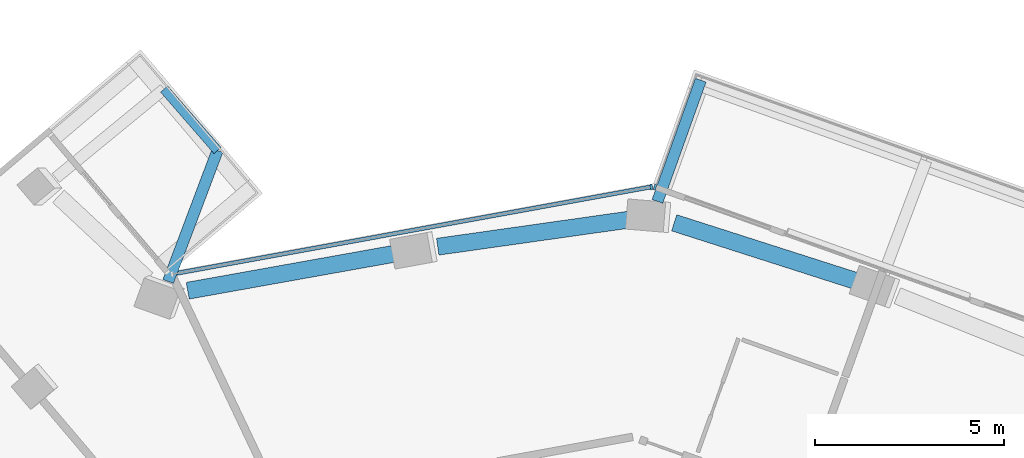
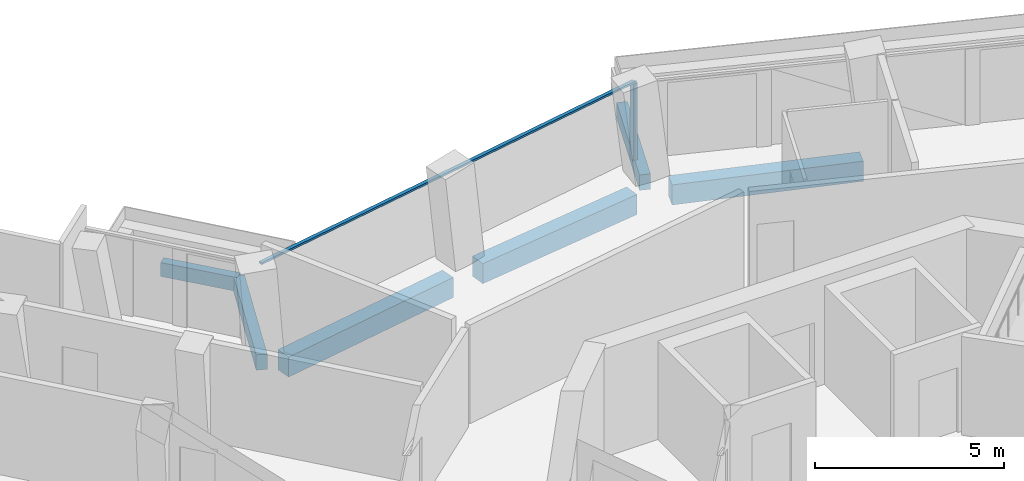
# One storey, part 6 of 21: 6 beams, 3 members, 2 elements without a shape of their own.
"""IFC4 building model written with IfcOpenShell, lengths in metres."""

import ifcopenshell
import ifcopenshell.guid

model = None  # the IFC model being written
_history = None  # IfcOwnerHistory: only IFC2X3 demands one
_inside = {}  # id of a spatial element -> (the spatial element, [elements in it])
_under = {}  # id of a project, library or spatial element -> (it, [spatial elements below it])
_declared = {}  # id of a project -> (the project, [libraries it declares])
_typed = {}  # id of a type object -> (the type object, [elements of that type])
_made_of = {}  # id of a material, layer set ... -> (it, [elements and type objects made of it])


def new_model(schema):
    """Start an empty IFC model of exactly this schema.

    Asked for "IFC4X3", IfcOpenShell would pick the latest addendum, in which some entities
    have other attributes; the version numbers below select the first issue.
    IFC2X3 requires an IfcOwnerHistory on every rooted entity: one is made here for all.
    """
    global model, _history
    if schema == "IFC4X3":
        model = ifcopenshell.file(schema_version=(4, 3, 0, 0))
    else:
        model = ifcopenshell.file(schema=schema)
    _inside.clear()
    _under.clear()
    _declared.clear()
    _typed.clear()
    _made_of.clear()
    _history = None
    if model.schema == "IFC2X3":
        org = make("IfcOrganization", Name="unknown")
        user = make(
            "IfcPersonAndOrganization",
            ThePerson=make("IfcPerson", FamilyName="unknown"),
            TheOrganization=org,
        )
        app = make(
            "IfcApplication",
            ApplicationDeveloper=org,
            Version="unknown",
            ApplicationFullName="unknown",
            ApplicationIdentifier="unknown",
        )
        _history = make(
            "IfcOwnerHistory",
            OwningUser=user,
            OwningApplication=app,
            ChangeAction="ADDED",
            CreationDate=0,
        )
    return model


def make(cls, **values):
    """One entity of the class cls with the attributes given. An attribute that is None is left unset."""
    return model.create_entity(
        cls, **{name: value for name, value in values.items() if value is not None}
    )


def rooted(cls, **values):
    """An entity with a GlobalId (a new one), such as an element, a storey or a relation."""
    return make(cls, GlobalId=ifcopenshell.guid.new(), OwnerHistory=_history, **values)


def si_unit(unit_type, name, prefix=None):
    """IfcSIUnit, for example si_unit("LENGTHUNIT", "METRE", prefix="MILLI")."""
    return make("IfcSIUnit", UnitType=unit_type, Prefix=prefix, Name=name)


def assignment(units):
    """IfcUnitAssignment: the units of a project."""
    return None if units is None else make("IfcUnitAssignment", Units=units)


def point(xyz):
    """IfcCartesianPoint."""
    return None if xyz is None else make("IfcCartesianPoint", Coordinates=xyz)


def direction(xyz):
    """IfcDirection."""
    return None if xyz is None else make("IfcDirection", DirectionRatios=xyz)


def frame(location, z_axis=None, x_axis=None):
    """IfcAxis2Placement3D, a coordinate frame: its origin and axes. An axis left out is left unset."""
    return make(
        "IfcAxis2Placement3D",
        Location=point(location),
        Axis=direction(z_axis),
        RefDirection=direction(x_axis),
    )


def frame_2d(location, x_axis=None):
    """IfcAxis2Placement2D, a coordinate frame in the plane: its origin and x axis."""
    return make(
        "IfcAxis2Placement2D", Location=point(location), RefDirection=direction(x_axis)
    )


def origin():
    """The frame at (0, 0, 0) with its axes left unset."""
    return frame((0.0, 0.0, 0.0))


def origin_2d():
    """The frame at (0, 0) in the plane with its x axis left unset."""
    return frame_2d((0.0, 0.0))


def place(relative_to, where):
    """IfcLocalPlacement: puts the frame where relative to a parent placement (None: the world)."""
    return make(
        "IfcLocalPlacement", PlacementRelTo=relative_to, RelativePlacement=where
    )


def context(
    kind, dimensions, precision=None, world=None, true_north=None, identifier=None
):
    """IfcGeometricRepresentationContext, for example the 3D "Model" context."""
    return make(
        "IfcGeometricRepresentationContext",
        ContextIdentifier=identifier,
        ContextType=kind,
        CoordinateSpaceDimension=dimensions,
        Precision=precision,
        WorldCoordinateSystem=world,
        TrueNorth=true_north,
    )


def subcontext(parent, identifier, kind, view, scale=None):
    """IfcGeometricRepresentationSubContext, for example "Body" below "Model"."""
    return make(
        "IfcGeometricRepresentationSubContext",
        ContextIdentifier=identifier,
        ContextType=kind,
        ParentContext=parent,
        TargetScale=scale,
        TargetView=view,
    )


def project(units=None, contexts=None):
    """IfcProject with its units and contexts."""
    return rooted(
        "IfcProject",
        Name="project",
        RepresentationContexts=contexts,
        UnitsInContext=assignment(units),
    )


def spatial(cls, under=None, at=None, **own):
    """A site, building, storey or space (cls), placed at a placement, below another one or the project."""
    s = rooted(cls, ObjectPlacement=at, **own)
    if under is not None:
        _under.setdefault(under.id(), (under, []))[1].append(s)
    return s


def profile(cls, at=None, kind="AREA", **sizes):
    """A parametric profile (cls). Its sizes go by their IFC names, for example OverallWidth=200.0."""
    return make(cls, ProfileType=kind, Position=at, **sizes)


def rectangle(**sizes):
    """IfcRectangleProfileDef."""
    return profile("IfcRectangleProfileDef", **sizes)


def extrude(swept, where, along, depth):
    """IfcExtrudedAreaSolid: the profile swept, set in the frame where, extruded along a direction by depth."""
    return make(
        "IfcExtrudedAreaSolid",
        SweptArea=swept,
        Position=where,
        ExtrudedDirection=direction(along),
        Depth=depth,
    )


def shape(context_of_items, identifier, shape_type, items):
    """IfcShapeRepresentation: the items that make up one representation, for example the "Body"."""
    return make(
        "IfcShapeRepresentation",
        ContextOfItems=context_of_items,
        RepresentationIdentifier=identifier,
        RepresentationType=shape_type,
        Items=items,
    )


def material(Name=None, Category=None):
    """IfcMaterial."""
    return make("IfcMaterial", Name=Name, Category=Category)


def layer(
    of_material, thickness, ventilated=None, Name=None, Category=None, Priority=None
):
    """IfcMaterialLayer: one layer of a wall or slab, of a material (None: an air gap)."""
    return make(
        "IfcMaterialLayer",
        Material=of_material,
        LayerThickness=thickness,
        IsVentilated=ventilated,
        Name=Name,
        Category=Category,
        Priority=Priority,
    )


def layer_set(layers, Name=None):
    """IfcMaterialLayerSet."""
    return make("IfcMaterialLayerSet", MaterialLayers=layers, LayerSetName=Name)


def material_profile(
    of_material, cross_section, Name=None, Category=None, Priority=None
):
    """IfcMaterialProfile: a cross section and its material."""
    return make(
        "IfcMaterialProfile",
        Name=Name,
        Material=of_material,
        Profile=cross_section,
        Priority=Priority,
        Category=Category,
    )


def profile_set(profiles, Name=None, composite=None):
    """IfcMaterialProfileSet."""
    return make(
        "IfcMaterialProfileSet",
        Name=Name,
        MaterialProfiles=profiles,
        CompositeProfile=composite,
    )


def made_of(thing, what):
    """Note that an element or type object is made of a material, layer set ...; save() writes the relation."""
    if what is not None:
        _made_of.setdefault(what.id(), (what, []))[1].append(thing)
    return thing


def type_object(cls, material=None, **own):
    """A type object (cls), such as IfcWallType, which elements share."""
    return made_of(rooted(cls, **own), material)


def element(
    cls,
    number,
    at=None,
    inside=None,
    cuts=None,
    type_object=None,
    material=None,
    context=None,
    identifier="Body",
    shape_type=None,
    held_by="IfcProductDefinitionShape",
    body=None,
    shapes=None,
    **own,
):
    """One element of the class cls, such as IfcWall. Its Tag is "e" and its number.

    at: its placement. inside: the storey or other place that contains it. cuts: it is an
    opening in that element (IfcRelVoidsElement). A single representation is given by context,
    identifier, shape_type and body (its items); several are given by shapes. held_by: the class
    of the entity that holds the representations. save() writes the other relations.
    """
    e = rooted(cls, Tag="e%d" % number, ObjectPlacement=at, **own)
    if body is not None:
        shapes = [shape(context, identifier, shape_type, body)]
    if shapes is not None:
        e.Representation = make(held_by, Representations=shapes)
    if inside is not None:
        _inside.setdefault(inside.id(), (inside, []))[1].append(e)
    if cuts is not None:
        rooted(
            "IfcRelVoidsElement", RelatingBuildingElement=cuts, RelatedOpeningElement=e
        )
    if type_object is not None:
        _typed.setdefault(type_object.id(), (type_object, []))[1].append(e)
    return made_of(e, material)


def aggregate(whole, parts):
    """IfcRelAggregates: a whole, such as a stair, and the parts it consists of."""
    return rooted("IfcRelAggregates", RelatingObject=whole, RelatedObjects=parts)


def save(model, path):
    """Write the relations noted so far, then the file.

    IfcRelAggregates (storeys below a building ...), IfcRelContainedInSpatialStructure (elements
    in a storey), IfcRelDefinesByType, IfcRelAssociatesMaterial and IfcRelDeclares: one each for
    every whole, place, type object, material and project.
    """
    for whole, parts in _under.values():
        aggregate(whole, parts)
    for where, things in _inside.values():
        rooted(
            "IfcRelContainedInSpatialStructure",
            RelatedElements=things,
            RelatingStructure=where,
        )
    for kind, things in _typed.values():
        rooted("IfcRelDefinesByType", RelatedObjects=things, RelatingType=kind)
    for what, things in _made_of.values():
        rooted("IfcRelAssociatesMaterial", RelatedObjects=things, RelatingMaterial=what)
    for by, libraries in _declared.values():
        rooted("IfcRelDeclares", RelatingContext=by, RelatedDefinitions=libraries)
    model.write(path)


model = new_model("IFC4")

# Units and contexts
model_context = context("Model", 3, precision=1e-05, world=origin(), true_north=direction((0.0, 1.0)))
body_context = subcontext(model_context, "Body", "Model", "MODEL_VIEW")
ifc_project = project(units=[si_unit("LENGTHUNIT", "METRE"), si_unit("AREAUNIT", "SQUARE_METRE"), si_unit("VOLUMEUNIT", "CUBIC_METRE"), si_unit("PLANEANGLEUNIT", "RADIAN"), si_unit("MASSUNIT", "GRAM", prefix="KILO")], contexts=[model_context])

# Site, building, storey
site_placement = place(None, origin())
site = spatial("IfcSite", under=ifc_project, at=site_placement, CompositionType="ELEMENT")
building_placement = place(site_placement, origin())
building = spatial("IfcBuilding", under=site, at=building_placement, Name="Verdalira Terraces Hotel", CompositionType="ELEMENT")
storey_placement = place(building_placement, frame((0.0, 0.0, 197.5)))
storey = spatial("IfcBuildingStorey", under=building, at=storey_placement, Name="L48", CompositionType="ELEMENT", Elevation=197.5)

# Beams
ifc_material_1 = material(Name="Concrete C40", Category="concrete")
ifc_material_profile_1 = material_profile(ifc_material_1, rectangle(XDim=0.300049, YDim=0.5, at=origin_2d()), Name="RC 300X500")
ifc_profile_set_1 = profile_set([ifc_material_profile_1], Name="Concrete C40")
beam_type_1 = type_object("IfcBeamType", Name="Balcony cantilever beam RC 300X500 C40", PredefinedType="BEAM", material=ifc_profile_set_1)
beam_1_placement = place(storey_placement, frame((-10.800049, 22.439453, -0.560059), z_axis=(0.352458736, 0.935827355, 0.0), x_axis=(-0.935827355, 0.352458736, 0.0)))
element("IfcBeam", 1, at=beam_1_placement, inside=storey, type_object=beam_type_1, Name="Balcony cantilever beam R00-1", PredefinedType="BEAM", context=body_context, shape_type="SweptSolid", body=[
    extrude(rectangle(XDim=0.300049, YDim=0.5, at=origin_2d()), origin(), (0.0, 0.0, 1.0), 3.705811),
])
beam_2_placement = place(storey_placement, frame((2.153809, 24.558838, -0.560059), z_axis=(0.336694806, 0.941613831, 0.0), x_axis=(-0.941613831, 0.336694806, 0.0)))
element("IfcBeam", 2, at=beam_2_placement, inside=storey, type_object=beam_type_1, Name="Balcony cantilever beam R39-5", PredefinedType="BEAM", context=body_context, shape_type="SweptSolid", body=[
    extrude(rectangle(XDim=0.300049, YDim=0.5, at=origin_2d()), origin(), (0.0, 0.0, 1.0), 3.408691),
])
ifc_material_2 = material(Name="Concrete C40", Category="concrete")
ifc_material_profile_2 = material_profile(ifc_material_2, rectangle(XDim=0.25, YDim=0.449951, at=origin_2d()), Name="RC 250X450")
ifc_profile_set_2 = profile_set([ifc_material_profile_2], Name="Concrete C40")
beam_type_2 = type_object("IfcBeamType", Name="Balcony edge beam RC 250X450 C40", PredefinedType="BEAM", material=ifc_profile_set_2)
beam_3_placement = place(storey_placement, frame((-9.493896, 25.907471, -0.534912), z_axis=(-0.655909334, 0.754839682, 0.0), x_axis=(-0.754839682, -0.655909334, 0.0)))
element("IfcBeam", 3, at=beam_3_placement, inside=storey, type_object=beam_type_2, Name="Balcony edge beam R00-1", PredefinedType="BEAM", context=body_context, shape_type="SweptSolid", body=[
    extrude(rectangle(XDim=0.25, YDim=0.449951, at=origin_2d()), origin(), (0.0, 0.0, 1.0), 2.154297),
])

# Curtain wall, member
ifc_material_3 = material(Name="Clear glass", Category="glass")
ifc_layer = layer(ifc_material_3, 0.14990234375)
ifc_layer_set = layer_set([ifc_layer], Name="CW1 curtain wall")
curtain_wall_type = type_object("IfcCurtainWallType", Name="CW1 curtain wall", PredefinedType="NOTDEFINED", material=ifc_layer_set)
curtain_wall_1_placement = place(storey_placement, origin())
curtain_wall_1 = element("IfcCurtainWall", 4, at=curtain_wall_1_placement, inside=storey, type_object=curtain_wall_type, Name="CW1 curtain wall L48 edge 40", PredefinedType="NOTDEFINED")
ifc_material_4 = material(Name="Terracotta frame", Category="masonry")
ifc_material_profile_3 = material_profile(ifc_material_4, rectangle(XDim=0.060059, YDim=0.149902, at=origin_2d()), Name="MU 60x150")
ifc_profile_set_3 = profile_set([ifc_material_profile_3], Name="Terracotta frame")
member_type_1 = type_object("IfcMemberType", Name="CW1 mullion 60x150", PredefinedType="MULLION", material=ifc_profile_set_3)
member_1_placement = place(storey_placement, frame((2.089844, 24.936035, 0.0), z_axis=(0.0, 0.0, 1.0), x_axis=(-0.941588156, 0.336766603, 0.0)))
member_1 = element("IfcMember", 5, at=member_1_placement, type_object=member_type_1, Name="CW1 mullion", PredefinedType="MULLION", context=body_context, shape_type="SweptSolid", body=[
    extrude(rectangle(XDim=0.060059, YDim=0.149902, at=origin_2d()), origin(), (0.0, 0.0, 1.0), 2.475098),
])
aggregate(curtain_wall_1, [member_1])

# Curtain wall, members
curtain_wall_2_placement = place(storey_placement, origin())
curtain_wall_2 = element("IfcCurtainWall", 6, at=curtain_wall_2_placement, inside=storey, type_object=curtain_wall_type, Name="CW1 curtain wall L48 edge 41", PredefinedType="NOTDEFINED")
member_2_placement = place(storey_placement, frame((1.993408, 24.944092, 0.0), z_axis=(0.0, 0.0, 1.0), x_axis=(-0.983822564, -0.179145645, 0.0)))
member_2 = element("IfcMember", 7, at=member_2_placement, type_object=member_type_1, Name="CW1 mullion", PredefinedType="MULLION", context=body_context, shape_type="SweptSolid", body=[
    extrude(rectangle(XDim=0.060059, YDim=0.149902, at=origin_2d()), origin(), (0.0, 0.0, 1.0), 2.475098),
])
ifc_material_5 = material(Name="Terracotta frame", Category="masonry")
ifc_material_profile_4 = material_profile(ifc_material_5, rectangle(XDim=0.110107, YDim=0.064941, at=origin_2d()), Name="TR 65x110")
ifc_profile_set_4 = profile_set([ifc_material_profile_4], Name="Terracotta frame")
member_type_2 = type_object("IfcMemberType", Name="CW1 transom 65x110", PredefinedType="USERDEFINED", material=ifc_profile_set_4)
member_3_placement = place(storey_placement, frame((2.022949, 24.949463, 2.507568), z_axis=(-0.983821649, -0.179150673, 0.0), x_axis=(0.179150673, -0.983821649, 0.0)))
member_3 = element("IfcMember", 8, at=member_3_placement, type_object=member_type_2, Name="CW1 transom", ObjectType="TRANSOM", PredefinedType="USERDEFINED", context=body_context, shape_type="SweptSolid", body=[
    extrude(rectangle(XDim=0.110107, YDim=0.064941, at=origin_2d()), origin(), (0.0, 0.0, 1.0), 12.959961),
])
aggregate(curtain_wall_2, [member_2, member_3])

# Beams
ifc_material_6 = material(Name="Concrete C50", Category="concrete")
ifc_material_profile_5 = material_profile(ifc_material_6, rectangle(XDim=0.449951, YDim=0.649902, at=origin_2d()), Name="RC 450X650")
ifc_profile_set_5 = profile_set([ifc_material_profile_5], Name="Concrete C50")
beam_type_3 = type_object("IfcBeamType", Name="Spandrel beam RC 450X650 C50", PredefinedType="SPANDREL", material=ifc_profile_set_5)
beam_4_placement = place(storey_placement, frame((7.540039, 22.409912, -0.63501), z_axis=(-0.952352562, 0.304999341, 0.0), x_axis=(-0.304999341, -0.952352562, 0.0)))
element("IfcBeam", 9, at=beam_4_placement, inside=storey, type_object=beam_type_3, Name="Spandrel beam B21", PredefinedType="SPANDREL", context=body_context, shape_type="SweptSolid", body=[
    extrude(rectangle(XDim=0.449951, YDim=0.649902, at=origin_2d()), origin(), (0.0, 0.0, 1.0), 5.189453),
])
beam_5_placement = place(storey_placement, frame((1.477783, 24.085938, -0.63501), z_axis=(-0.990154393, -0.139979563, 0.0), x_axis=(0.139979563, -0.990154393, 0.0)))
element("IfcBeam", 10, at=beam_5_placement, inside=storey, type_object=beam_type_3, Name="Spandrel beam B22", PredefinedType="SPANDREL", context=body_context, shape_type="SweptSolid", body=[
    extrude(rectangle(XDim=0.449951, YDim=0.649902, at=origin_2d()), origin(), (0.0, 0.0, 1.0), 5.192139),
])
beam_6_placement = place(storey_placement, frame((-4.665039, 23.198975, -0.63501), z_axis=(-0.984357691, -0.176181544, 0.0), x_axis=(0.176181544, -0.984357691, 0.0)))
element("IfcBeam", 11, at=beam_6_placement, inside=storey, type_object=beam_type_3, Name="Spandrel beam B23", PredefinedType="SPANDREL", context=body_context, shape_type="SweptSolid", body=[
    extrude(rectangle(XDim=0.449951, YDim=0.649902, at=origin_2d()), origin(), (0.0, 0.0, 1.0), 5.706543),
])

save(model, "model.ifc")
